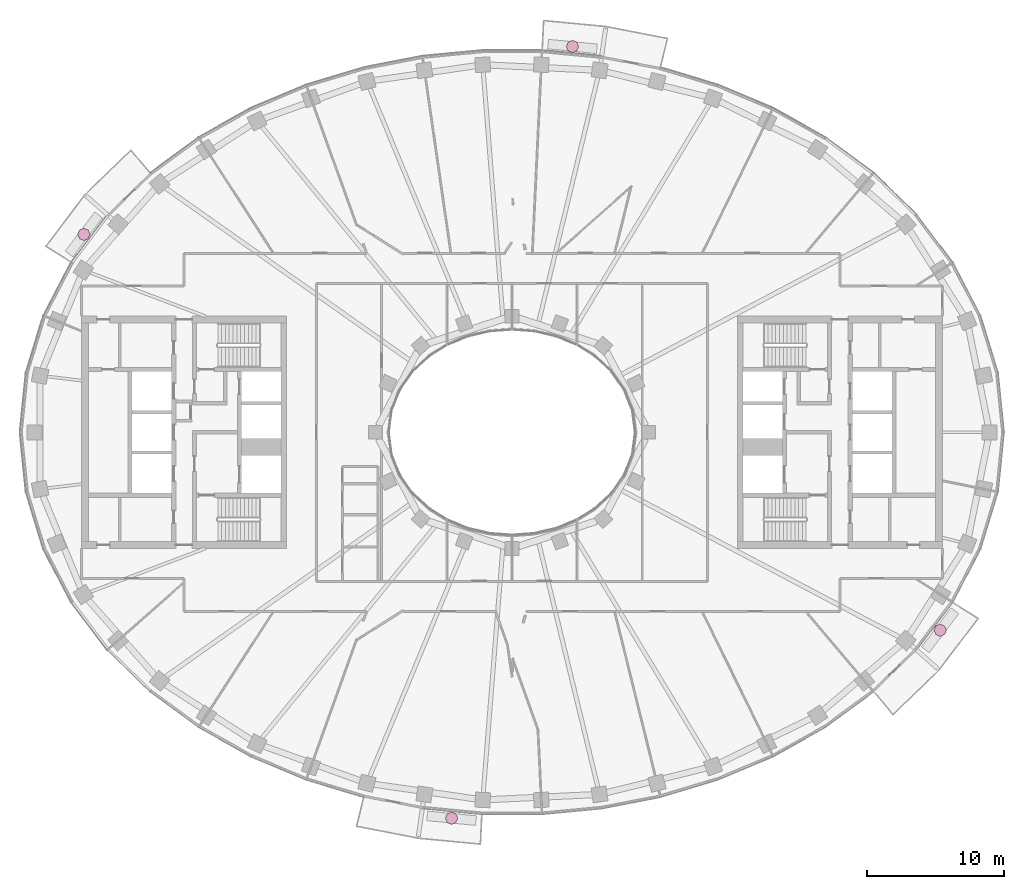
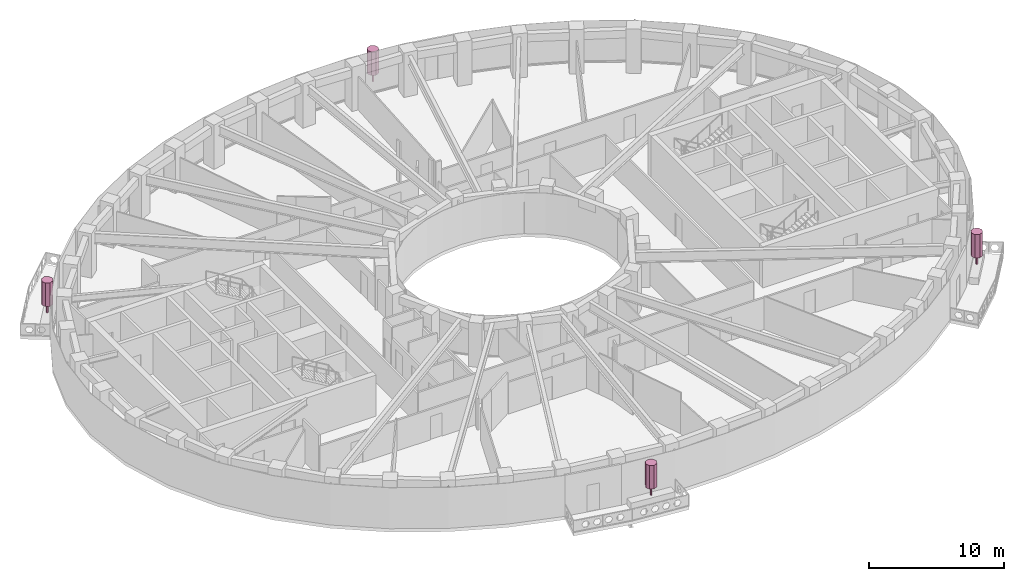
# One storey, part 16 of 16: 4 furnishings.
"""IFC4 building model written with IfcOpenShell, lengths in metres."""

import ifcopenshell
import ifcopenshell.guid

model = None  # the IFC model being written
_history = None  # IfcOwnerHistory: only IFC2X3 demands one
_inside = {}  # id of a spatial element -> (the spatial element, [elements in it])
_under = {}  # id of a project, library or spatial element -> (it, [spatial elements below it])
_declared = {}  # id of a project -> (the project, [libraries it declares])
_typed = {}  # id of a type object -> (the type object, [elements of that type])
_made_of = {}  # id of a material, layer set ... -> (it, [elements and type objects made of it])


def new_model(schema):
    """Start an empty IFC model of exactly this schema.

    Asked for "IFC4X3", IfcOpenShell would pick the latest addendum, in which some entities
    have other attributes; the version numbers below select the first issue.
    IFC2X3 requires an IfcOwnerHistory on every rooted entity: one is made here for all.
    """
    global model, _history
    if schema == "IFC4X3":
        model = ifcopenshell.file(schema_version=(4, 3, 0, 0))
    else:
        model = ifcopenshell.file(schema=schema)
    _inside.clear()
    _under.clear()
    _declared.clear()
    _typed.clear()
    _made_of.clear()
    _history = None
    if model.schema == "IFC2X3":
        org = make("IfcOrganization", Name="unknown")
        user = make(
            "IfcPersonAndOrganization",
            ThePerson=make("IfcPerson", FamilyName="unknown"),
            TheOrganization=org,
        )
        app = make(
            "IfcApplication",
            ApplicationDeveloper=org,
            Version="unknown",
            ApplicationFullName="unknown",
            ApplicationIdentifier="unknown",
        )
        _history = make(
            "IfcOwnerHistory",
            OwningUser=user,
            OwningApplication=app,
            ChangeAction="ADDED",
            CreationDate=0,
        )
    return model


def make(cls, **values):
    """One entity of the class cls with the attributes given. An attribute that is None is left unset."""
    return model.create_entity(
        cls, **{name: value for name, value in values.items() if value is not None}
    )


def rooted(cls, **values):
    """An entity with a GlobalId (a new one), such as an element, a storey or a relation."""
    return make(cls, GlobalId=ifcopenshell.guid.new(), OwnerHistory=_history, **values)


def si_unit(unit_type, name, prefix=None):
    """IfcSIUnit, for example si_unit("LENGTHUNIT", "METRE", prefix="MILLI")."""
    return make("IfcSIUnit", UnitType=unit_type, Prefix=prefix, Name=name)


def assignment(units):
    """IfcUnitAssignment: the units of a project."""
    return None if units is None else make("IfcUnitAssignment", Units=units)


def point(xyz):
    """IfcCartesianPoint."""
    return None if xyz is None else make("IfcCartesianPoint", Coordinates=xyz)


def direction(xyz):
    """IfcDirection."""
    return None if xyz is None else make("IfcDirection", DirectionRatios=xyz)


def frame(location, z_axis=None, x_axis=None):
    """IfcAxis2Placement3D, a coordinate frame: its origin and axes. An axis left out is left unset."""
    return make(
        "IfcAxis2Placement3D",
        Location=point(location),
        Axis=direction(z_axis),
        RefDirection=direction(x_axis),
    )


def frame_2d(location, x_axis=None):
    """IfcAxis2Placement2D, a coordinate frame in the plane: its origin and x axis."""
    return make(
        "IfcAxis2Placement2D", Location=point(location), RefDirection=direction(x_axis)
    )


def origin():
    """The frame at (0, 0, 0) with its axes left unset."""
    return frame((0.0, 0.0, 0.0))


def origin_2d():
    """The frame at (0, 0) in the plane with its x axis left unset."""
    return frame_2d((0.0, 0.0))


def place(relative_to, where):
    """IfcLocalPlacement: puts the frame where relative to a parent placement (None: the world)."""
    return make(
        "IfcLocalPlacement", PlacementRelTo=relative_to, RelativePlacement=where
    )


def context(
    kind, dimensions, precision=None, world=None, true_north=None, identifier=None
):
    """IfcGeometricRepresentationContext, for example the 3D "Model" context."""
    return make(
        "IfcGeometricRepresentationContext",
        ContextIdentifier=identifier,
        ContextType=kind,
        CoordinateSpaceDimension=dimensions,
        Precision=precision,
        WorldCoordinateSystem=world,
        TrueNorth=true_north,
    )


def subcontext(parent, identifier, kind, view, scale=None):
    """IfcGeometricRepresentationSubContext, for example "Body" below "Model"."""
    return make(
        "IfcGeometricRepresentationSubContext",
        ContextIdentifier=identifier,
        ContextType=kind,
        ParentContext=parent,
        TargetScale=scale,
        TargetView=view,
    )


def project(units=None, contexts=None):
    """IfcProject with its units and contexts."""
    return rooted(
        "IfcProject",
        Name="project",
        RepresentationContexts=contexts,
        UnitsInContext=assignment(units),
    )


def spatial(cls, under=None, at=None, **own):
    """A site, building, storey or space (cls), placed at a placement, below another one or the project."""
    s = rooted(cls, ObjectPlacement=at, **own)
    if under is not None:
        _under.setdefault(under.id(), (under, []))[1].append(s)
    return s


def polyline(points):
    """IfcPolyline through the points."""
    return make("IfcPolyline", Points=[point(p) for p in points])


def profile(cls, at=None, kind="AREA", **sizes):
    """A parametric profile (cls). Its sizes go by their IFC names, for example OverallWidth=200.0."""
    return make(cls, ProfileType=kind, Position=at, **sizes)


def rectangle(**sizes):
    """IfcRectangleProfileDef."""
    return profile("IfcRectangleProfileDef", **sizes)


def outline(outer, holes=None, kind="AREA"):
    """IfcArbitraryClosedProfileDef: a profile drawn as a closed curve; with holes, ...WithVoids."""
    if holes is None:
        return make("IfcArbitraryClosedProfileDef", ProfileType=kind, OuterCurve=outer)
    return make(
        "IfcArbitraryProfileDefWithVoids",
        ProfileType=kind,
        OuterCurve=outer,
        InnerCurves=holes,
    )


def extrude(swept, where, along, depth):
    """IfcExtrudedAreaSolid: the profile swept, set in the frame where, extruded along a direction by depth."""
    return make(
        "IfcExtrudedAreaSolid",
        SweptArea=swept,
        Position=where,
        ExtrudedDirection=direction(along),
        Depth=depth,
    )


def shape(context_of_items, identifier, shape_type, items):
    """IfcShapeRepresentation: the items that make up one representation, for example the "Body"."""
    return make(
        "IfcShapeRepresentation",
        ContextOfItems=context_of_items,
        RepresentationIdentifier=identifier,
        RepresentationType=shape_type,
        Items=items,
    )


def material(Name=None, Category=None):
    """IfcMaterial."""
    return make("IfcMaterial", Name=Name, Category=Category)


def made_of(thing, what):
    """Note that an element or type object is made of a material, layer set ...; save() writes the relation."""
    if what is not None:
        _made_of.setdefault(what.id(), (what, []))[1].append(thing)
    return thing


def type_object(cls, material=None, **own):
    """A type object (cls), such as IfcWallType, which elements share."""
    return made_of(rooted(cls, **own), material)


def element(
    cls,
    number,
    at=None,
    inside=None,
    cuts=None,
    type_object=None,
    material=None,
    context=None,
    identifier="Body",
    shape_type=None,
    held_by="IfcProductDefinitionShape",
    body=None,
    shapes=None,
    **own,
):
    """One element of the class cls, such as IfcWall. Its Tag is "e" and its number.

    at: its placement. inside: the storey or other place that contains it. cuts: it is an
    opening in that element (IfcRelVoidsElement). A single representation is given by context,
    identifier, shape_type and body (its items); several are given by shapes. held_by: the class
    of the entity that holds the representations. save() writes the other relations.
    """
    e = rooted(cls, Tag="e%d" % number, ObjectPlacement=at, **own)
    if body is not None:
        shapes = [shape(context, identifier, shape_type, body)]
    if shapes is not None:
        e.Representation = make(held_by, Representations=shapes)
    if inside is not None:
        _inside.setdefault(inside.id(), (inside, []))[1].append(e)
    if cuts is not None:
        rooted(
            "IfcRelVoidsElement", RelatingBuildingElement=cuts, RelatedOpeningElement=e
        )
    if type_object is not None:
        _typed.setdefault(type_object.id(), (type_object, []))[1].append(e)
    return made_of(e, material)


def aggregate(whole, parts):
    """IfcRelAggregates: a whole, such as a stair, and the parts it consists of."""
    return rooted("IfcRelAggregates", RelatingObject=whole, RelatedObjects=parts)


def save(model, path):
    """Write the relations noted so far, then the file.

    IfcRelAggregates (storeys below a building ...), IfcRelContainedInSpatialStructure (elements
    in a storey), IfcRelDefinesByType, IfcRelAssociatesMaterial and IfcRelDeclares: one each for
    every whole, place, type object, material and project.
    """
    for whole, parts in _under.values():
        aggregate(whole, parts)
    for where, things in _inside.values():
        rooted(
            "IfcRelContainedInSpatialStructure",
            RelatedElements=things,
            RelatingStructure=where,
        )
    for kind, things in _typed.values():
        rooted("IfcRelDefinesByType", RelatedObjects=things, RelatingType=kind)
    for what, things in _made_of.values():
        rooted("IfcRelAssociatesMaterial", RelatedObjects=things, RelatingMaterial=what)
    for by, libraries in _declared.values():
        rooted("IfcRelDeclares", RelatingContext=by, RelatedDefinitions=libraries)
    model.write(path)


model = new_model("IFC4")

# Units and contexts
model_context = context("Model", 3, precision=1e-05, world=origin(), true_north=direction((0.0, 1.0)))
body_context = subcontext(model_context, "Body", "Model", "MODEL_VIEW")
ifc_project = project(units=[si_unit("LENGTHUNIT", "METRE"), si_unit("AREAUNIT", "SQUARE_METRE"), si_unit("VOLUMEUNIT", "CUBIC_METRE"), si_unit("PLANEANGLEUNIT", "RADIAN"), si_unit("MASSUNIT", "GRAM", prefix="KILO")], contexts=[model_context])

# Site, building, storey
site_placement = place(None, origin())
site = spatial("IfcSite", under=ifc_project, at=site_placement, CompositionType="ELEMENT")
building_placement = place(site_placement, origin())
building = spatial("IfcBuilding", under=site, at=building_placement, Name="Noorbagh Ring Tower", CompositionType="ELEMENT")
storey_placement = place(building_placement, frame((0.0, 0.0, 237.5)))
storey = spatial("IfcBuildingStorey", under=building, at=storey_placement, Name="L49", CompositionType="ELEMENT", Elevation=237.5)

# Furnishings
ifc_material = material(Name="Planting foliage green")
furnishing_element_type = type_object("IfcFurnishingElementType", Name="ENV-TREE", material=ifc_material)
for number, where, z_axis, x_axis, name in (
    (1, (4.423828125, 28.2373046875, 0.60009765625), (0.0, 0.0, 1.0), (1.0, 0.0, 0.0), "Tree BN03"),
    (2, (-31.329833984375, 14.4833984375, 0.60009765625), (0.0, 0.0, 1.0), (1.0, 0.0, 0.0), "Tree BN06"),
    (3, (-4.423828125, -28.2373046875, 0.60009765625), (0.0, 0.0, 1.0), (1.0, 0.0, 0.0), "Tree BS03"),
    (4, (31.329833984375, -14.4833984375, 0.60009765625), (0.0, 0.0, 1.0), (1.0, 0.0, 0.0), "Tree BS06"),
):
    element("IfcFurnishingElement", number, at=place(storey_placement, frame(where, z_axis=z_axis, x_axis=x_axis)), inside=storey, type_object=furnishing_element_type, Name=name, context=body_context, shape_type="SweptSolid", body=[
        extrude(rectangle(XDim=0.1201171875, YDim=0.1201171875, at=origin_2d()), origin(), (0.0, 0.0, 1.0), 0.825927734375),
        extrude(outline(polyline([(0.449951171875, 0.0), (0.318115234375, 0.318115234375), (0.0, 0.449951171875), (-0.318115234375, 0.318115234375), (-0.449951171875, 0.0), (-0.318115234375, -0.318115234375), (0.0, -0.449951171875), (0.318115234375, -0.318115234375), (0.449951171875, 0.0)])), frame((0.0, 0.0, 0.825927734375)), (0.0, 0.0, 1.0), 2.1240234375),
    ])

save(model, "model.ifc")
